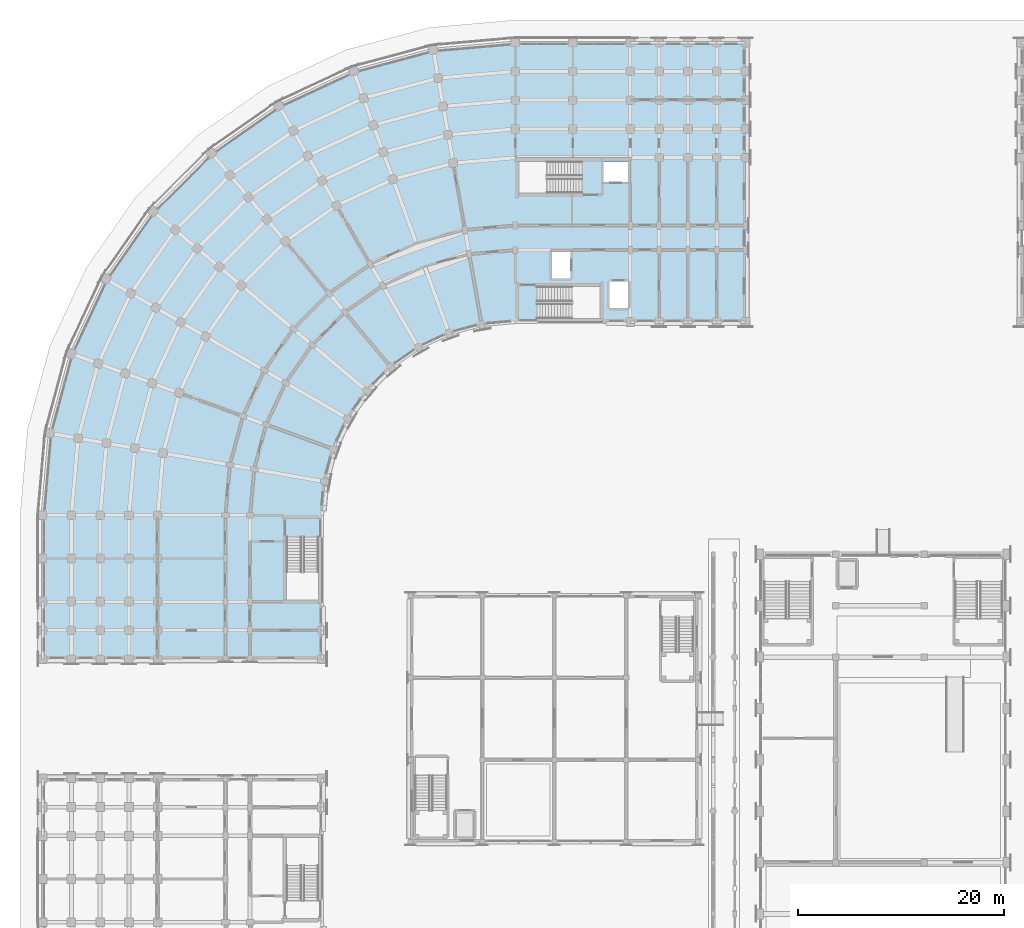
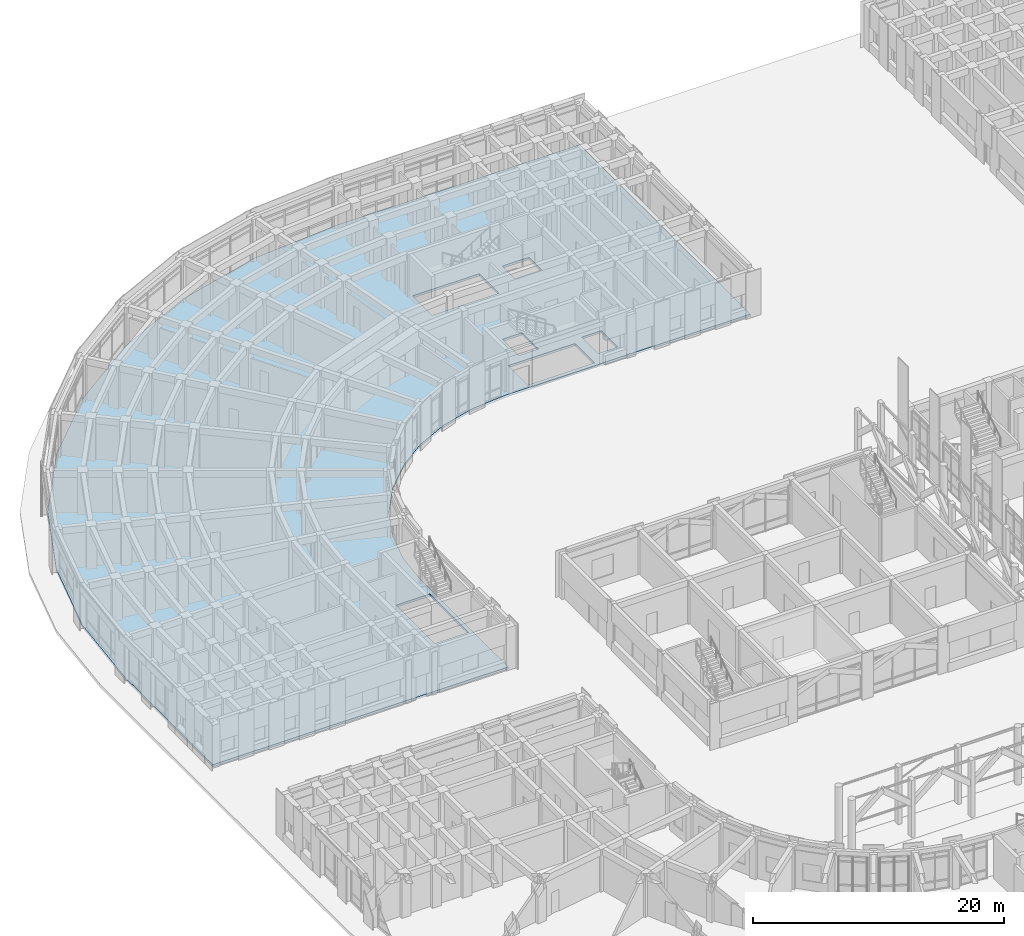
# One storey, part 66 of 135: 1 slab.
"""IFC4 building model written with IfcOpenShell, lengths in metres."""

from ifc_helpers import new_model, si_unit, direction, frame, origin, place, context, subcontext, project, spatial, polyline, outline, extrude, material, layer, layer_set, type_object, element, save


model = new_model("IFC4")

# Units and contexts
model_context = context("Model", 3, precision=1e-05, world=origin(), true_north=direction((0.0, 1.0)))
body_context = subcontext(model_context, "Body", "Model", "MODEL_VIEW")
ifc_project = project(units=[si_unit("LENGTHUNIT", "METRE"), si_unit("AREAUNIT", "SQUARE_METRE"), si_unit("VOLUMEUNIT", "CUBIC_METRE"), si_unit("PLANEANGLEUNIT", "RADIAN"), si_unit("MASSUNIT", "GRAM", prefix="KILO")], contexts=[model_context])

# Site, building, storey
site_placement = place(None, origin())
site = spatial("IfcSite", under=ifc_project, at=site_placement, CompositionType="ELEMENT")
building_placement = place(site_placement, origin())
building = spatial("IfcBuilding", under=site, at=building_placement, Name="Kiranvali Square Residences", CompositionType="ELEMENT")
storey_placement = place(building_placement, origin())
storey = spatial("IfcBuildingStorey", under=building, at=storey_placement, Name="L00", CompositionType="ELEMENT", Elevation=0.0)

# Slab
ifc_material = material(Name="Concrete M35 (35 MPa)", Category="concrete")
ifc_layer = layer(ifc_material, 0.219970703125)
ifc_layer_set = layer_set([ifc_layer], Name="Concrete M35 (35 MPa)")
slab_type = type_object("IfcSlabType", Name="SLB-FLR-220", PredefinedType="FLOOR", material=ifc_layer_set)
slab_placement = place(storey_placement, frame((0.0, 0.0, -0.219970703125)))
element("IfcSlab", 1, at=slab_placement, inside=storey, type_object=slab_type, Name="Block A L00 structural floor slab", PredefinedType="FLOOR", context=body_context, shape_type="SweptSolid", body=[
    extrude(outline(polyline([(70.60009765625, 106.60009765625), (70.60009765625, 133.800048828125), (48.199951171875, 133.800048828125), (40.212158203125, 133.10107421875), (32.467041015625, 131.02587890625), (25.199951171875, 127.63720703125), (18.6318359375, 123.0380859375), (12.9619140625, 117.3681640625), (8.36279296875, 110.800048828125), (4.97412109375, 103.532958984375), (2.89892578125, 95.787841796875), (2.199951171875, 87.800048828125), (2.199951171875, 73.800048828125), (29.39990234375, 73.800048828125), (29.39990234375, 87.800048828125), (29.685546875, 91.064697265625), (30.53369140625, 94.22998046875), (31.918701171875, 97.199951171875), (33.79833984375, 99.884521484375), (36.115478515625, 102.20166015625), (38.800048828125, 104.081298828125), (41.77001953125, 105.46630859375), (44.935302734375, 106.314453125), (48.199951171875, 106.60009765625), (70.60009765625, 106.60009765625)]), holes=[polyline([(56.800048828125, 120.25), (59.25, 120.25), (59.25, 122.25), (56.800048828125, 122.25), (56.800048828125, 120.25)]), polyline([(57.35009765625, 107.949951171875), (59.14990234375, 107.949951171875), (59.14990234375, 110.550048828125), (57.35009765625, 110.550048828125), (57.35009765625, 107.949951171875)]), polyline([(51.75, 110.85009765625), (53.550048828125, 110.85009765625), (53.550048828125, 113.449951171875), (51.75, 113.449951171875), (51.75, 110.85009765625)]), polyline([(54.699951171875, 122.25), (48.550048828125, 122.25), (48.550048828125, 119.14990234375), (54.699951171875, 119.14990234375), (54.699951171875, 122.25)]), polyline([(50.300048828125, 106.949951171875), (56.449951171875, 106.949951171875), (56.449951171875, 110.050048828125), (50.300048828125, 110.050048828125), (50.300048828125, 106.949951171875)]), polyline([(25.949951171875, 85.699951171875), (25.949951171875, 79.550048828125), (29.050048828125, 79.550048828125), (29.050048828125, 85.699951171875), (25.949951171875, 85.699951171875)])]), origin(), (0.0, 0.0, 1.0), 0.219970703125),
])

save(model, "model.ifc")
